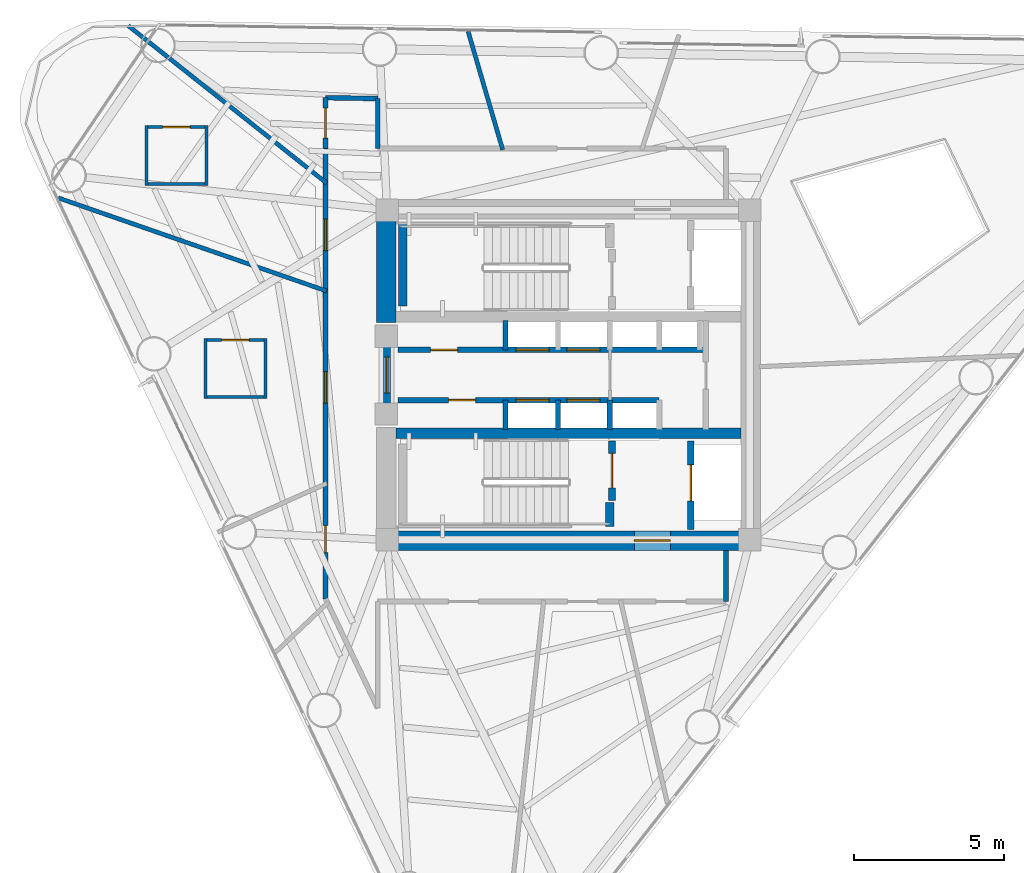
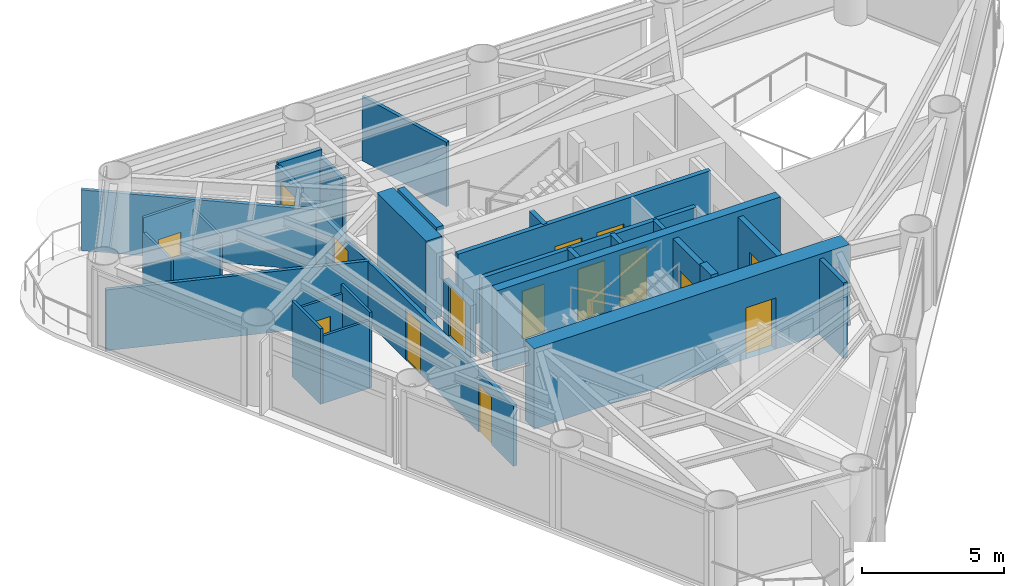
# One storey, part 5 of 9: 30 walls, 16 doors, 16 openings.
"""IFC4 building model written with IfcOpenShell, lengths in metres."""

from ifc_helpers import new_model, si_unit, direction, frame, frame_2d, origin, place, context, subcontext, project, spatial, rectangle, extrude, material, layer, layer_set, type_object, element, fill, save


model = new_model("IFC4")

# Units and contexts
model_context = context("Model", 3, precision=1e-05, world=origin(), true_north=direction((0.0, 1.0)))
body_context = subcontext(model_context, "Body", "Model", "MODEL_VIEW")
ifc_project = project(units=[si_unit("LENGTHUNIT", "METRE"), si_unit("AREAUNIT", "SQUARE_METRE"), si_unit("VOLUMEUNIT", "CUBIC_METRE"), si_unit("PLANEANGLEUNIT", "RADIAN"), si_unit("MASSUNIT", "GRAM", prefix="KILO")], contexts=[model_context])

# Site, building, storey
site_placement = place(None, origin())
site = spatial("IfcSite", under=ifc_project, at=site_placement, CompositionType="ELEMENT")
building_placement = place(site_placement, origin())
building = spatial("IfcBuilding", under=site, at=building_placement, Name="Yunling Apex Tower", CompositionType="ELEMENT")
storey_placement = place(building_placement, frame((0.0, 0.0, 201.800048828125)))
storey = spatial("IfcBuildingStorey", under=building, at=storey_placement, Name="L49", CompositionType="ELEMENT", Elevation=201.800048828125)

# Wall, opening, door
ifc_material_1 = material(Name="Concrete C50", Category="concrete")
ifc_layer_1 = layer(ifc_material_1, 0.64990234375)
ifc_layer_set_1 = layer_set([ifc_layer_1], Name="Concrete C50")
wall_type_1 = type_object("IfcWallType", Name="WL-COR-2", PredefinedType="SHEAR", material=ifc_layer_set_1)
wall_1_placement = place(storey_placement, frame((-6.39990234375, -5.52490234375, 0.0), z_axis=(0.0, 0.0, 1.0), x_axis=(1.0, 0.0, 0.0)))
wall_1 = element("IfcWall", 1, at=wall_1_placement, inside=storey, type_object=wall_type_1, Name="L49 South Core Shear Wall", PredefinedType="SHEAR", context=body_context, shape_type="SweptSolid", body=[
    extrude(rectangle(XDim=12.7998046875, YDim=0.64990234375, at=frame_2d((6.39990234375, 0.0))), origin(), (0.0, 0.0, 1.0), 3.449951171875),
])
opening_1_placement = place(wall_1_placement, frame((8.60009765625, 0.0, 0.0)))
opening_1 = element("IfcOpeningElement", 2, at=opening_1_placement, cuts=wall_1, Name="Opening DR-FFL-1", PredefinedType="OPENING", context=body_context, shape_type="SweptSolid", body=[
    extrude(rectangle(XDim=1.199951171875, YDim=2.199951171875, at=frame_2d((0.60009765625, 1.10009765625))), frame((0.0, 0.3349609375, 0.0), z_axis=(0.0, -1.0, 0.0), x_axis=(1.0, 0.0, 0.0)), (0.0, 0.0, 1.0), 0.669921875),
])
ifc_material_2 = material(Name="Steel Q355B", Category="steel")
door_type_1 = type_object("IfcDoorType", Name="DR-FFL-1", OperationType="NOTDEFINED", PredefinedType="DOOR", material=ifc_material_2)
door_1_placement = place(opening_1_placement, origin())
door_1 = element("IfcDoor", 3, at=door_1_placement, inside=storey, type_object=door_type_1, Name="L49 South Firefighting Lobby Door", OperationType="SINGLE_SWING_RIGHT", OverallHeight=2.199951171875, OverallWidth=1.199951171875, PredefinedType="DOOR", context=body_context, shape_type="SweptSolid", body=[
    extrude(rectangle(XDim=1.199951171875, YDim=2.199951171875, at=frame_2d((0.60009765625, 1.10009765625))), frame((0.0, 0.02490234375, 0.0), z_axis=(0.0, -1.0, 0.0), x_axis=(1.0, 0.0, 0.0)), (0.0, 0.0, 1.0), 0.050048828125),
])
fill(opening_1, door_1)

# Walls
wall_2_placement = place(storey_placement, frame((-6.074951171875, 1.75, 0.0), z_axis=(0.0, 0.0, 1.0), x_axis=(0.0, 1.0, 0.0)))
element("IfcWall", 4, at=wall_2_placement, inside=storey, type_object=wall_type_1, Name="L49 West-North Core Shear Wall", PredefinedType="SHEAR", context=body_context, shape_type="SweptSolid", body=[
    extrude(rectangle(XDim=3.449951171875, YDim=0.64990234375, at=frame_2d((1.72509765625, 0.0))), origin(), (0.0, 0.0, 1.0), 3.449951171875),
])
ifc_material_3 = material(Name="Concrete C40", Category="concrete")
ifc_layer_2 = layer(ifc_material_3, 0.360107421875)
ifc_layer_set_2 = layer_set([ifc_layer_2], Name="Concrete C40")
wall_type_2 = type_object("IfcWallType", Name="WL-COR-4", PredefinedType="SHEAR", material=ifc_layer_set_2)
wall_3_placement = place(storey_placement, frame((-5.75, -1.93994140625, 0.0), z_axis=(0.0, 0.0, 1.0), x_axis=(1.0, 0.0, 0.0)))
element("IfcWall", 5, at=wall_3_placement, inside=storey, type_object=wall_type_2, Name="L49 South Internal Core Shear Wall", PredefinedType="SHEAR", context=body_context, shape_type="SweptSolid", body=[
    extrude(rectangle(XDim=11.5, YDim=0.360107421875, at=frame_2d((5.75, 0.0))), origin(), (0.0, 0.0, 1.0), 3.449951171875),
])
ifc_layer_3 = layer(ifc_material_3, 0.280029296875)
ifc_layer_set_3 = layer_set([ifc_layer_3], Name="Concrete C40")
wall_type_3 = type_object("IfcWallType", Name="WL-COR-8", PredefinedType="SHEAR", material=ifc_layer_set_3)
wall_4_placement = place(storey_placement, frame((-5.52001953125, 2.300048828125, 0.0), z_axis=(0.0, 0.0, 1.0), x_axis=(0.0, 1.0, 0.0)))
element("IfcWall", 6, at=wall_4_placement, inside=storey, type_object=wall_type_3, Name="L49 ST-1 West Landing Bearing Wall", PredefinedType="SHEAR", context=body_context, shape_type="SweptSolid", body=[
    extrude(rectangle(XDim=2.75, YDim=0.280029296875, at=frame_2d((1.375, 0.0))), origin(), (0.0, 0.0, 1.0), 3.449951171875),
])
wall_5_placement = place(storey_placement, frame((1.3798828125, -5.050048828125, 0.0), z_axis=(0.0, 0.0, 1.0), x_axis=(0.0, 1.0, 0.0)))
element("IfcWall", 7, at=wall_5_placement, inside=storey, type_object=wall_type_3, Name="L49 ST-2 East Landing Bearing Pier", PredefinedType="SHEAR", context=body_context, shape_type="SweptSolid", body=[
    extrude(rectangle(XDim=0.800048828125, YDim=0.280029296875, at=frame_2d((0.39990234375, 0.0))), origin(), (0.0, 0.0, 1.0), 3.449951171875),
])

# Wall, openings, doors
ifc_material_4 = material(Name="Gypsum board acoustic partition")
ifc_layer_4 = layer(ifc_material_4, 0.159912109375)
ifc_layer_set_4 = layer_set([ifc_layer_4], Name="Gypsum board acoustic partition")
wall_type_4 = type_object("IfcWallType", Name="WL-PRT-1", PredefinedType="PARTITIONING", material=ifc_layer_set_4)
wall_6_placement = place(storey_placement, frame((-8.10009765625, -7.460205078125, 0.0), z_axis=(0.0, 0.0, 1.0), x_axis=(0.0, 1.0, 0.0)))
wall_6 = element("IfcWall", 8, at=wall_6_placement, inside=storey, type_object=wall_type_4, Name="WL-CORR-L49-02", PredefinedType="PARTITIONING", context=body_context, shape_type="SweptSolid", body=[
    extrude(rectangle(XDim=15.01025390625, YDim=0.159912109375, at=frame_2d((7.505126953125, 0.0))), origin(), (0.0, 0.0, 1.0), 2.60498046875),
])
opening_2_placement = place(wall_6_placement, frame((1.537109375, 0.0, 0.0)))
opening_2 = element("IfcOpeningElement", 9, at=opening_2_placement, cuts=wall_6, Name="Opening DR-SHF-1", PredefinedType="OPENING", context=body_context, shape_type="SweptSolid", body=[
    extrude(rectangle(XDim=0.89990234375, YDim=2.050048828125, at=frame_2d((0.449951171875, 1.02490234375))), frame((0.0, 0.08984375, 0.0), z_axis=(0.0, -1.0, 0.0), x_axis=(1.0, 0.0, 0.0)), (0.0, 0.0, 1.0), 0.179931640625),
])
opening_3_placement = place(wall_6_placement, frame((6.522216796875, 0.0, 0.0)))
opening_3 = element("IfcOpeningElement", 10, at=opening_3_placement, cuts=wall_6, Name="Opening DR-FL-1", PredefinedType="OPENING", context=body_context, shape_type="SweptSolid", body=[
    extrude(rectangle(XDim=1.050048828125, YDim=2.199951171875, at=frame_2d((0.52490234375, 1.10009765625))), frame((0.0, 0.08984375, 0.0), z_axis=(0.0, -1.0, 0.0), x_axis=(1.0, 0.0, 0.0)), (0.0, 0.0, 1.0), 0.179931640625),
])
opening_4_placement = place(wall_6_placement, frame((11.604248046875, 0.0, 0.0)))
opening_4 = element("IfcOpeningElement", 11, at=opening_4_placement, cuts=wall_6, Name="Opening DR-FL-1", PredefinedType="OPENING", context=body_context, shape_type="SweptSolid", body=[
    extrude(rectangle(XDim=1.050048828125, YDim=2.199951171875, at=frame_2d((0.52490234375, 1.10009765625))), frame((0.0, 0.08984375, 0.0), z_axis=(0.0, -1.0, 0.0), x_axis=(1.0, 0.0, 0.0)), (0.0, 0.0, 1.0), 0.179931640625),
])
ifc_material_5 = material(Name="Timber fire-rated leaf", Category="wood")
door_type_2 = type_object("IfcDoorType", Name="DR-FL-1", OperationType="NOTDEFINED", PredefinedType="DOOR", material=ifc_material_5)
door_2_placement = place(opening_3_placement, origin())
door_2 = element("IfcDoor", 12, at=door_2_placement, inside=storey, type_object=door_type_2, Name="L49 Hotel Suite Door", OperationType="SINGLE_SWING_RIGHT", OverallHeight=2.199951171875, OverallWidth=1.050048828125, PredefinedType="DOOR", context=body_context, shape_type="SweptSolid", body=[
    extrude(rectangle(XDim=1.050048828125, YDim=2.199951171875, at=frame_2d((0.52490234375, 1.10009765625))), frame((0.0, 0.02490234375, 0.0), z_axis=(0.0, -1.0, 0.0), x_axis=(1.0, 0.0, 0.0)), (0.0, 0.0, 1.0), 0.050048828125),
])
fill(opening_3, door_2)
door_3_placement = place(opening_4_placement, origin())
door_3 = element("IfcDoor", 13, at=door_3_placement, inside=storey, type_object=door_type_2, Name="L49 Hotel Suite Door", OperationType="SINGLE_SWING_LEFT", OverallHeight=2.199951171875, OverallWidth=1.050048828125, PredefinedType="DOOR", context=body_context, shape_type="SweptSolid", body=[
    extrude(rectangle(XDim=1.050048828125, YDim=2.199951171875, at=frame_2d((0.52490234375, 1.10009765625))), frame((0.0, 0.02490234375, 0.0), z_axis=(0.0, -1.0, 0.0), x_axis=(1.0, 0.0, 0.0)), (0.0, 0.0, 1.0), 0.050048828125),
])
fill(opening_4, door_3)
door_type_3 = type_object("IfcDoorType", Name="DR-SHF-1", OperationType="NOTDEFINED", PredefinedType="DOOR", material=ifc_material_2)
door_4_placement = place(opening_2_placement, origin())
door_4 = element("IfcDoor", 14, at=door_4_placement, inside=storey, type_object=door_type_3, Name="L49 Housekeeping Room Door", OperationType="SINGLE_SWING_LEFT", OverallHeight=2.050048828125, OverallWidth=0.89990234375, PredefinedType="DOOR", context=body_context, shape_type="SweptSolid", body=[
    extrude(rectangle(XDim=0.89990234375, YDim=2.050048828125, at=frame_2d((0.449951171875, 1.02490234375))), frame((0.0, 0.02490234375, 0.0), z_axis=(0.0, -1.0, 0.0), x_axis=(1.0, 0.0, 0.0)), (0.0, 0.0, 1.0), 0.050048828125),
])
fill(opening_2, door_4)

# Wall, opening, door
wall_7_placement = place(storey_placement, frame((-8.10009765625, 7.550048828125, 0.0), z_axis=(0.0, 0.0, 1.0), x_axis=(0.0, 1.0, 0.0)))
wall_7 = element("IfcWall", 15, at=wall_7_placement, inside=storey, type_object=wall_type_4, Name="WL-CORR-L49-03", PredefinedType="PARTITIONING", context=body_context, shape_type="SweptSolid", body=[
    extrude(rectangle(XDim=1.695556640625, YDim=0.159912109375, at=frame_2d((0.84765625, 0.0))), origin(), (0.0, 0.0, 1.0), 2.804931640625),
])
opening_5_placement = place(wall_7_placement, frame((0.347900390625, 0.0, 0.0)))
opening_5 = element("IfcOpeningElement", 16, at=opening_5_placement, cuts=wall_7, Name="Opening DR-OFF-1", PredefinedType="OPENING", context=body_context, shape_type="SweptSolid", body=[
    extrude(rectangle(XDim=1.0, YDim=2.25, at=frame_2d((0.5, 1.125))), frame((0.0, 0.08984375, 0.0), z_axis=(0.0, -1.0, 0.0), x_axis=(1.0, 0.0, 0.0)), (0.0, 0.0, 1.0), 0.179931640625),
])
ifc_material_6 = material(Name="Bronze anodised aluminium", Category="aluminium")
door_type_4 = type_object("IfcDoorType", Name="DR-OFF-1", OperationType="NOTDEFINED", PredefinedType="DOOR", material=ifc_material_6)
door_5_placement = place(opening_5_placement, origin())
door_5 = element("IfcDoor", 17, at=door_5_placement, inside=storey, type_object=door_type_4, Name="L49 Club Lounge Door", OperationType="SINGLE_SWING_RIGHT", OverallHeight=2.25, OverallWidth=1.0, PredefinedType="DOOR", context=body_context, shape_type="SweptSolid", body=[
    extrude(rectangle(XDim=1.0, YDim=2.25, at=frame_2d((0.5, 1.125))), frame((0.0, 0.02490234375, 0.0), z_axis=(0.0, -1.0, 0.0), x_axis=(1.0, 0.0, 0.0)), (0.0, 0.0, 1.0), 0.050048828125),
])
fill(opening_5, door_5)

# Walls
wall_8_placement = place(storey_placement, frame((-8.10009765625, 9.24560546875, 0.0), z_axis=(0.0, 0.0, 1.0), x_axis=(0.999858281466, -0.016834992813, 0.0)))
element("IfcWall", 18, at=wall_8_placement, inside=storey, type_object=wall_type_4, Name="WL-CORR-L49-04", PredefinedType="PARTITIONING", context=body_context, shape_type="SweptSolid", body=[
    extrude(rectangle(XDim=1.740234375, YDim=0.159912109375, at=frame_2d((0.8701171875, 0.0))), origin(), (0.0, 0.0, 1.0), 2.905029296875),
])
wall_9_placement = place(storey_placement, frame((-6.360107421875, 9.21630859375, 0.0), z_axis=(0.0, 0.0, 1.0), x_axis=(0.0, -1.0, 0.0)))
element("IfcWall", 19, at=wall_9_placement, inside=storey, type_object=wall_type_4, Name="WL-CORR-L49-05", PredefinedType="PARTITIONING", context=body_context, shape_type="SweptSolid", body=[
    extrude(rectangle(XDim=1.666259765625, YDim=0.159912109375, at=frame_2d((0.8330078125, 0.0))), origin(), (0.0, 0.0, 1.0), 2.60498046875),
])
wall_10_placement = place(storey_placement, frame((5.25, -5.85009765625, 0.0), z_axis=(0.0, 0.0, 1.0), x_axis=(0.0, -1.0, 0.0)))
element("IfcWall", 20, at=wall_10_placement, inside=storey, type_object=wall_type_4, Name="WL-CORR-L49-08", PredefinedType="PARTITIONING", context=body_context, shape_type="SweptSolid", body=[
    extrude(rectangle(XDim=1.699951171875, YDim=0.159912109375, at=frame_2d((0.85009765625, 0.0))), origin(), (0.0, 0.0, 1.0), 3.25),
])
ifc_layer_5 = layer(ifc_material_4, 0.139892578125)
ifc_layer_set_5 = layer_set([ifc_layer_5], Name="Gypsum board acoustic partition")
wall_type_5 = type_object("IfcWallType", Name="WL-PRT-2", PredefinedType="PARTITIONING", material=ifc_layer_set_5)
wall_11_placement = place(storey_placement, frame((-2.194091796875, 7.510009765625, 0.0), z_axis=(0.0, 0.0, 1.0), x_axis=(-0.280410435425, 0.959880194454, 0.0)))
element("IfcWall", 21, at=wall_11_placement, inside=storey, type_object=wall_type_5, Name="WL-RAD-L49-03", PredefinedType="PARTITIONING", context=body_context, shape_type="SweptSolid", body=[
    extrude(rectangle(XDim=4.111328125, YDim=0.139892578125, at=frame_2d((2.0556640625, 0.0))), origin(), (0.0, 0.0, 1.0), 2.764892578125),
])
wall_12_placement = place(storey_placement, frame((-8.06005859375, 6.394775390625, 0.0), z_axis=(0.0, 0.0, 1.0), x_axis=(-0.783385602556, 0.621535998723, 0.0)))
element("IfcWall", 22, at=wall_12_placement, inside=storey, type_object=wall_type_5, Name="WL-RAD-L49-04", PredefinedType="PARTITIONING", context=body_context, shape_type="SweptSolid", body=[
    extrude(rectangle(XDim=8.44873046875, YDim=0.139892578125, at=frame_2d((4.224365234375, 0.0))), origin(), (0.0, 0.0, 1.0), 2.60498046875),
])
wall_13_placement = place(storey_placement, frame((-8.06005859375, 2.7978515625, 0.0), z_axis=(0.0, 0.0, 1.0), x_axis=(-0.944705149401, 0.327920997643, 0.0)))
element("IfcWall", 23, at=wall_13_placement, inside=storey, type_object=wall_type_5, Name="WL-RAD-L49-05", PredefinedType="PARTITIONING", context=body_context, shape_type="SweptSolid", body=[
    extrude(rectangle(XDim=9.47607421875, YDim=0.139892578125, at=frame_2d((4.738037109375, 0.0))), origin(), (0.0, 0.0, 1.0), 2.60498046875),
])

# Wall, opening, door
ifc_layer_6 = layer(ifc_material_4, 0.10009765625)
ifc_layer_set_6 = layer_set([ifc_layer_6], Name="Gypsum board acoustic partition")
wall_type_6 = type_object("IfcWallType", Name="WL-PRT-4", PredefinedType="PARTITIONING", material=ifc_layer_set_6)
wall_14_placement = place(storey_placement, frame((-14.1240234375, 8.262939453125, 0.0), z_axis=(0.0, 0.0, 1.0), x_axis=(1.0, 0.0, 0.0)))
wall_14 = element("IfcWall", 24, at=wall_14_placement, inside=storey, type_object=wall_type_6, Name="WL-ENS-L49-8N", PredefinedType="PARTITIONING", context=body_context, shape_type="SweptSolid", body=[
    extrude(rectangle(XDim=2.10009765625, YDim=0.10009765625, at=frame_2d((1.050048828125, 0.0))), origin(), (0.0, 0.0, 1.0), 3.25),
])
opening_6_placement = place(wall_14_placement, frame((0.590087890625, 0.0, 0.0)))
opening_6 = element("IfcOpeningElement", 25, at=opening_6_placement, cuts=wall_14, Name="Opening DR-WC-1", PredefinedType="OPENING", context=body_context, shape_type="SweptSolid", body=[
    extrude(rectangle(XDim=0.919921875, YDim=2.10009765625, at=frame_2d((0.4599609375, 1.050048828125))), frame((0.0, 0.06005859375, 0.0), z_axis=(0.0, -1.0, 0.0), x_axis=(1.0, 0.0, 0.0)), (0.0, 0.0, 1.0), 0.1201171875),
])
ifc_material_7 = material(Name="Timber moisture-resistant leaf", Category="wood")
door_type_5 = type_object("IfcDoorType", Name="DR-WC-1", OperationType="NOTDEFINED", PredefinedType="DOOR", material=ifc_material_7)
door_6_placement = place(opening_6_placement, origin())
door_6 = element("IfcDoor", 26, at=door_6_placement, inside=storey, type_object=door_type_5, Name="L49 En-Suite Door", OperationType="SINGLE_SWING_LEFT", OverallHeight=2.10009765625, OverallWidth=0.919921875, PredefinedType="DOOR", context=body_context, shape_type="SweptSolid", body=[
    extrude(rectangle(XDim=0.919921875, YDim=2.10009765625, at=frame_2d((0.4599609375, 1.050048828125))), frame((0.0, 0.02490234375, 0.0), z_axis=(0.0, -1.0, 0.0), x_axis=(1.0, 0.0, 0.0)), (0.0, 0.0, 1.0), 0.050048828125),
])
fill(opening_6, door_6)

# Walls
wall_15_placement = place(storey_placement, frame((-12.02392578125, 6.363037109375, 0.0), z_axis=(0.0, 0.0, 1.0), x_axis=(-1.0, 0.0, 0.0)))
element("IfcWall", 27, at=wall_15_placement, inside=storey, type_object=wall_type_6, Name="WL-ENS-L49-8S", PredefinedType="PARTITIONING", context=body_context, shape_type="SweptSolid", body=[
    extrude(rectangle(XDim=2.10009765625, YDim=0.10009765625, at=frame_2d((1.050048828125, 0.0))), origin(), (0.0, 0.0, 1.0), 2.60498046875),
])
wall_16_placement = place(storey_placement, frame((-12.073974609375, 8.31298828125, 0.0), z_axis=(0.0, 0.0, 1.0), x_axis=(0.0, -1.0, 0.0)))
element("IfcWall", 28, at=wall_16_placement, inside=storey, type_object=wall_type_6, Name="WL-ENS-L49-8E", PredefinedType="PARTITIONING", context=body_context, shape_type="SweptSolid", body=[
    extrude(rectangle(XDim=2.0, YDim=0.10009765625, at=frame_2d((1.0, 0.0))), origin(), (0.0, 0.0, 1.0), 2.905029296875),
])
wall_17_placement = place(storey_placement, frame((-14.073974609375, 6.31298828125, 0.0), z_axis=(0.0, 0.0, 1.0), x_axis=(0.0, 1.0, 0.0)))
element("IfcWall", 29, at=wall_17_placement, inside=storey, type_object=wall_type_6, Name="WL-ENS-L49-8W", PredefinedType="PARTITIONING", context=body_context, shape_type="SweptSolid", body=[
    extrude(rectangle(XDim=2.0, YDim=0.10009765625, at=frame_2d((1.0, 0.0))), origin(), (0.0, 0.0, 1.0), 2.60498046875),
])

# Wall, opening, door
wall_18_placement = place(storey_placement, frame((-12.155029296875, 1.1669921875, 0.0), z_axis=(0.0, 0.0, 1.0), x_axis=(1.0, 0.0, 0.0)))
wall_18 = element("IfcWall", 30, at=wall_18_placement, inside=storey, type_object=wall_type_6, Name="WL-ENS-L49-9N", PredefinedType="PARTITIONING", context=body_context, shape_type="SweptSolid", body=[
    extrude(rectangle(XDim=2.10009765625, YDim=0.10009765625, at=frame_2d((1.050048828125, 0.0))), origin(), (0.0, 0.0, 1.0), 2.905029296875),
])
opening_7_placement = place(wall_18_placement, frame((0.590087890625, 0.0, 0.0)))
opening_7 = element("IfcOpeningElement", 31, at=opening_7_placement, cuts=wall_18, Name="Opening DR-WC-1", PredefinedType="OPENING", context=body_context, shape_type="SweptSolid", body=[
    extrude(rectangle(XDim=0.919921875, YDim=2.10009765625, at=frame_2d((0.4599609375, 1.050048828125))), frame((0.0, 0.06005859375, 0.0), z_axis=(0.0, -1.0, 0.0), x_axis=(1.0, 0.0, 0.0)), (0.0, 0.0, 1.0), 0.1201171875),
])
door_7_placement = place(opening_7_placement, origin())
door_7 = element("IfcDoor", 32, at=door_7_placement, inside=storey, type_object=door_type_5, Name="L49 En-Suite Door", OperationType="SINGLE_SWING_RIGHT", OverallHeight=2.10009765625, OverallWidth=0.919921875, PredefinedType="DOOR", context=body_context, shape_type="SweptSolid", body=[
    extrude(rectangle(XDim=0.919921875, YDim=2.10009765625, at=frame_2d((0.4599609375, 1.050048828125))), frame((0.0, 0.02490234375, 0.0), z_axis=(0.0, -1.0, 0.0), x_axis=(1.0, 0.0, 0.0)), (0.0, 0.0, 1.0), 0.050048828125),
])
fill(opening_7, door_7)

# Walls
wall_19_placement = place(storey_placement, frame((-10.054931640625, -0.73291015625, 0.0), z_axis=(0.0, 0.0, 1.0), x_axis=(-1.0, 0.0, 0.0)))
element("IfcWall", 33, at=wall_19_placement, inside=storey, type_object=wall_type_6, Name="WL-ENS-L49-9S", PredefinedType="PARTITIONING", context=body_context, shape_type="SweptSolid", body=[
    extrude(rectangle(XDim=2.10009765625, YDim=0.10009765625, at=frame_2d((1.050048828125, 0.0))), origin(), (0.0, 0.0, 1.0), 2.905029296875),
])
for number, where, z_axis, x_axis, name in (
    (34, (-10.10498046875, 1.217041015625, 0.0), (0.0, 0.0, 1.0), (0.0, -1.0, 0.0), "WL-ENS-L49-9E"),
    (35, (-12.10498046875, -0.782958984375, 0.0), (0.0, 0.0, 1.0), (0.0, 1.0, 0.0), "WL-ENS-L49-9W"),
):
    element("IfcWall", number, at=place(storey_placement, frame(where, z_axis=z_axis, x_axis=x_axis)), inside=storey, type_object=wall_type_6, Name=name, PredefinedType="PARTITIONING", context=body_context, shape_type="SweptSolid", body=[
        extrude(rectangle(XDim=2.0, YDim=0.10009765625, at=frame_2d((1.0, 0.0))), origin(), (0.0, 0.0, 1.0), 3.25),
    ])

# Wall, opening, door
ifc_material_8 = material(Name="Autoclaved aerated concrete masonry", Category="masonry")
ifc_layer_7 = layer(ifc_material_8, 0.219970703125)
ifc_layer_set_7 = layer_set([ifc_layer_7], Name="Autoclaved aerated concrete masonry")
wall_type_7 = type_object("IfcWallType", Name="WL-SHF-1", PredefinedType="PLUMBINGWALL", material=ifc_layer_set_7)
wall_20_placement = place(storey_placement, frame((-6.050048828125, -0.949951171875, 0.0), z_axis=(0.0, 0.0, 1.0), x_axis=(0.0, 1.0, 0.0)))
wall_20 = element("IfcWall", 36, at=wall_20_placement, inside=storey, type_object=wall_type_7, Name="WL-COR-WPORT-L49", PredefinedType="PLUMBINGWALL", context=body_context, shape_type="SweptSolid", body=[
    extrude(rectangle(XDim=1.89990234375, YDim=0.219970703125, at=frame_2d((0.949951171875, 0.0))), origin(), (0.0, 0.0, 1.0), 2.22998046875),
])
opening_8_placement = place(wall_20_placement, frame((0.35009765625, 0.0, 0.0)))
opening_8 = element("IfcOpeningElement", 37, at=opening_8_placement, cuts=wall_20, Name="Opening DR-FFL-1", PredefinedType="OPENING", context=body_context, shape_type="SweptSolid", body=[
    extrude(rectangle(XDim=1.199951171875, YDim=2.199951171875, at=frame_2d((0.60009765625, 1.10009765625))), frame((0.0, 0.1201171875, 0.0), z_axis=(0.0, -1.0, 0.0), x_axis=(1.0, 0.0, 0.0)), (0.0, 0.0, 1.0), 0.239990234375),
])
door_8_placement = place(opening_8_placement, origin())
door_8 = element("IfcDoor", 38, at=door_8_placement, inside=storey, type_object=door_type_1, Name="L49 Passenger Lift Lobby Entrance Door", OperationType="SINGLE_SWING_RIGHT", OverallHeight=2.199951171875, OverallWidth=1.199951171875, PredefinedType="DOOR", context=body_context, shape_type="SweptSolid", body=[
    extrude(rectangle(XDim=1.199951171875, YDim=2.199951171875, at=frame_2d((0.60009765625, 1.10009765625))), frame((0.0, 0.02490234375, 0.0), z_axis=(0.0, -1.0, 0.0), x_axis=(1.0, 0.0, 0.0)), (0.0, 0.0, 1.0), 0.050048828125),
])
fill(opening_8, door_8)

wall_21_placement = place(storey_placement, frame((1.449951171875, -4.179931640625, 0.0), z_axis=(0.0, 0.0, 1.0), x_axis=(0.0, 1.0, 0.0)))
wall_21 = element("IfcWall", 39, at=wall_21_placement, inside=storey, type_object=wall_type_7, Name="WL-ST2-E-L49", PredefinedType="PLUMBINGWALL", context=body_context, shape_type="SweptSolid", body=[
    extrude(rectangle(XDim=1.97998046875, YDim=0.219970703125, at=frame_2d((0.989990234375, 0.0))), origin(), (0.0, 0.0, 1.0), 3.25),
])
opening_9_placement = place(wall_21_placement, frame((0.419921875, 0.0, 0.0)))
opening_9 = element("IfcOpeningElement", 40, at=opening_9_placement, cuts=wall_21, Name="Opening DR-ST-1", PredefinedType="OPENING", context=body_context, shape_type="SweptSolid", body=[
    extrude(rectangle(XDim=1.14990234375, YDim=2.14990234375, at=frame_2d((0.574951171875, 1.074951171875))), frame((0.0, 0.1201171875, 0.0), z_axis=(0.0, -1.0, 0.0), x_axis=(1.0, 0.0, 0.0)), (0.0, 0.0, 1.0), 0.239990234375),
])
door_type_6 = type_object("IfcDoorType", Name="DR-ST-1", OperationType="NOTDEFINED", PredefinedType="DOOR", material=ifc_material_2)
door_9_placement = place(opening_9_placement, origin())
door_9 = element("IfcDoor", 41, at=door_9_placement, inside=storey, type_object=door_type_6, Name="L49 Stair ST-2 Fire Door", OperationType="SINGLE_SWING_RIGHT", OverallHeight=2.14990234375, OverallWidth=1.14990234375, PredefinedType="DOOR", context=body_context, shape_type="SweptSolid", body=[
    extrude(rectangle(XDim=1.14990234375, YDim=2.14990234375, at=frame_2d((0.574951171875, 1.074951171875))), frame((0.0, 0.02490234375, 0.0), z_axis=(0.0, -1.0, 0.0), x_axis=(1.0, 0.0, 0.0)), (0.0, 0.0, 1.0), 0.050048828125),
])
fill(opening_9, door_9)

wall_22_placement = place(storey_placement, frame((4.080078125, -5.14990234375, 0.0), z_axis=(0.0, 0.0, 1.0), x_axis=(0.0, 1.0, 0.0)))
wall_22 = element("IfcWall", 42, at=wall_22_placement, inside=storey, type_object=wall_type_7, Name="WL-FFL2-W-L49", PredefinedType="PLUMBINGWALL", context=body_context, shape_type="SweptSolid", body=[
    extrude(rectangle(XDim=2.949951171875, YDim=0.219970703125, at=frame_2d((1.47509765625, 0.0))), origin(), (0.0, 0.0, 1.0), 3.25),
])
opening_10_placement = place(wall_22_placement, frame((0.949951171875, 0.0, 0.0)))
opening_10 = element("IfcOpeningElement", 43, at=opening_10_placement, cuts=wall_22, Name="Opening LD-FFL-1", PredefinedType="OPENING", context=body_context, shape_type="SweptSolid", body=[
    extrude(rectangle(XDim=1.199951171875, YDim=2.25, at=frame_2d((0.60009765625, 1.125))), frame((0.0, 0.1201171875, 0.0), z_axis=(0.0, -1.0, 0.0), x_axis=(1.0, 0.0, 0.0)), (0.0, 0.0, 1.0), 0.239990234375),
])
door_type_7 = type_object("IfcDoorType", Name="LD-FFL-1", OperationType="DOUBLE_DOOR_SLIDING", PredefinedType="DOOR", material=ifc_material_2)
door_10_placement = place(opening_10_placement, origin())
door_10 = element("IfcDoor", 44, at=door_10_placement, inside=storey, type_object=door_type_7, Name="L49 Lift FFL-2 Landing Door", OperationType="DOUBLE_DOOR_SLIDING", OverallHeight=2.25, OverallWidth=1.199951171875, PredefinedType="DOOR", context=body_context, shape_type="SweptSolid", body=[
    extrude(rectangle(XDim=1.199951171875, YDim=2.25, at=frame_2d((0.60009765625, 1.125))), frame((0.0, 0.02490234375, 0.0), z_axis=(0.0, -1.0, 0.0), x_axis=(1.0, 0.0, 0.0)), (0.0, 0.0, 1.0), 0.050048828125),
])
fill(opening_10, door_10)

# Walls
ifc_layer_8 = layer(ifc_material_8, 0.179931640625)
ifc_layer_set_8 = layer_set([ifc_layer_8], Name="Autoclaved aerated concrete masonry")
wall_type_8 = type_object("IfcWallType", Name="WL-SHF-2", PredefinedType="PLUMBINGWALL", material=ifc_layer_set_8)
for number, where, z_axis, x_axis, name in (
    (45, (-2.10009765625, 0.840087890625, 0.0), (0.0, 0.0, 1.0), (0.0, 1.0, 0.0), "WL-BNK-LM-N-L49"),
    (46, (-2.10009765625, -1.820068359375, 0.0), (0.0, 0.0, 1.0), (0.0, 1.0, 0.0), "WL-BNK-LM-S-L49"),
    (47, (-0.35009765625, -1.820068359375, 0.0), (0.0, 0.0, 1.0), (0.0, 1.0, 0.0), "WL-DIV-M34-L49"),
    (48, (1.3798828125, -1.820068359375, 0.0), (0.0, 0.0, 1.0), (0.0, 1.0, 0.0), "WL-BNK-MH-S-L49"),
):
    element("IfcWall", number, at=place(storey_placement, frame(where, z_axis=z_axis, x_axis=x_axis)), inside=storey, type_object=wall_type_8, Name=name, PredefinedType="PLUMBINGWALL", context=body_context, shape_type="SweptSolid", body=[
        extrude(rectangle(XDim=0.97998046875, YDim=0.179931640625, at=frame_2d((0.489990234375, 0.0))), origin(), (0.0, 0.0, 1.0), 3.25),
    ])

# Wall, openings, doors
wall_23_placement = place(storey_placement, frame((-5.679931640625, 0.840087890625, 0.0), z_axis=(0.0, 0.0, 1.0), x_axis=(1.0, 0.0, 0.0)))
wall_23 = element("IfcWall", 49, at=wall_23_placement, inside=storey, type_object=wall_type_8, Name="WL-LOB-N-L49", PredefinedType="PLUMBINGWALL", context=body_context, shape_type="SweptSolid", body=[
    extrude(rectangle(XDim=10.260009765625, YDim=0.179931640625, at=frame_2d((5.1298828125, 0.0))), origin(), (0.0, 0.0, 1.0), 3.25),
])
opening_11_placement = place(wall_23_placement, frame((1.080078125, 0.0, 0.0)))
opening_11 = element("IfcOpeningElement", 50, at=opening_11_placement, cuts=wall_23, Name="Opening DR-SHF-1", PredefinedType="OPENING", context=body_context, shape_type="SweptSolid", body=[
    extrude(rectangle(XDim=0.89990234375, YDim=2.050048828125, at=frame_2d((0.449951171875, 1.02490234375))), frame((0.0, 0.10009765625, 0.0), z_axis=(0.0, -1.0, 0.0), x_axis=(1.0, 0.0, 0.0)), (0.0, 0.0, 1.0), 0.199951171875),
])
opening_12_placement = place(wall_23_placement, frame((3.929931640625, 0.0, 0.0)))
opening_12 = element("IfcOpeningElement", 51, at=opening_12_placement, cuts=wall_23, Name="Opening LD-PAS-1", PredefinedType="OPENING", context=body_context, shape_type="SweptSolid", body=[
    extrude(rectangle(XDim=1.10009765625, YDim=2.199951171875, at=frame_2d((0.550048828125, 1.10009765625))), frame((0.0, 0.10009765625, 0.0), z_axis=(0.0, -1.0, 0.0), x_axis=(1.0, 0.0, 0.0)), (0.0, 0.0, 1.0), 0.199951171875),
])
opening_13_placement = place(wall_23_placement, frame((5.6298828125, 0.0, 0.0)))
opening_13 = element("IfcOpeningElement", 52, at=opening_13_placement, cuts=wall_23, Name="Opening LD-PAS-1", PredefinedType="OPENING", context=body_context, shape_type="SweptSolid", body=[
    extrude(rectangle(XDim=1.10009765625, YDim=2.199951171875, at=frame_2d((0.550048828125, 1.10009765625))), frame((0.0, 0.10009765625, 0.0), z_axis=(0.0, -1.0, 0.0), x_axis=(1.0, 0.0, 0.0)), (0.0, 0.0, 1.0), 0.199951171875),
])
door_11_placement = place(opening_11_placement, origin())
door_11 = element("IfcDoor", 53, at=door_11_placement, inside=storey, type_object=door_type_3, Name="L49 BMS Plant Door", OperationType="SINGLE_SWING_LEFT", OverallHeight=2.050048828125, OverallWidth=0.89990234375, PredefinedType="DOOR", context=body_context, shape_type="SweptSolid", body=[
    extrude(rectangle(XDim=0.89990234375, YDim=2.050048828125, at=frame_2d((0.449951171875, 1.02490234375))), frame((0.0, 0.02490234375, 0.0), z_axis=(0.0, -1.0, 0.0), x_axis=(1.0, 0.0, 0.0)), (0.0, 0.0, 1.0), 0.050048828125),
])
fill(opening_11, door_11)
ifc_material_9 = material(Name="Silver anodised aluminium", Category="aluminium")
door_type_8 = type_object("IfcDoorType", Name="LD-PAS-1", OperationType="DOUBLE_DOOR_SLIDING", PredefinedType="DOOR", material=ifc_material_9)
door_12_placement = place(opening_12_placement, origin())
door_12 = element("IfcDoor", 54, at=door_12_placement, inside=storey, type_object=door_type_8, Name="L49 Lift PL-M1 Landing Door", OperationType="DOUBLE_DOOR_SLIDING", OverallHeight=2.199951171875, OverallWidth=1.10009765625, PredefinedType="DOOR", context=body_context, shape_type="SweptSolid", body=[
    extrude(rectangle(XDim=1.10009765625, YDim=2.199951171875, at=frame_2d((0.550048828125, 1.10009765625))), frame((0.0, 0.02490234375, 0.0), z_axis=(0.0, -1.0, 0.0), x_axis=(1.0, 0.0, 0.0)), (0.0, 0.0, 1.0), 0.050048828125),
])
fill(opening_12, door_12)
door_13_placement = place(opening_13_placement, origin())
door_13 = element("IfcDoor", 55, at=door_13_placement, inside=storey, type_object=door_type_8, Name="L49 Lift PL-M2 Landing Door", OperationType="DOUBLE_DOOR_SLIDING", OverallHeight=2.199951171875, OverallWidth=1.10009765625, PredefinedType="DOOR", context=body_context, shape_type="SweptSolid", body=[
    extrude(rectangle(XDim=1.10009765625, YDim=2.199951171875, at=frame_2d((0.550048828125, 1.10009765625))), frame((0.0, 0.02490234375, 0.0), z_axis=(0.0, -1.0, 0.0), x_axis=(1.0, 0.0, 0.0)), (0.0, 0.0, 1.0), 0.050048828125),
])
fill(opening_13, door_13)

wall_24_placement = place(storey_placement, frame((-5.679931640625, -0.840087890625, 0.0), z_axis=(0.0, 0.0, 1.0), x_axis=(1.0, 0.0, 0.0)))
wall_24 = element("IfcWall", 56, at=wall_24_placement, inside=storey, type_object=wall_type_8, Name="WL-LOB-S-L49", PredefinedType="PLUMBINGWALL", context=body_context, shape_type="SweptSolid", body=[
    extrude(rectangle(XDim=8.699951171875, YDim=0.179931640625, at=frame_2d((4.35009765625, 0.0))), origin(), (0.0, 0.0, 1.0), 3.25),
])
opening_14_placement = place(wall_24_placement, frame((1.679931640625, 0.0, 0.0)))
opening_14 = element("IfcOpeningElement", 57, at=opening_14_placement, cuts=wall_24, Name="Opening DR-SHF-1", PredefinedType="OPENING", context=body_context, shape_type="SweptSolid", body=[
    extrude(rectangle(XDim=0.89990234375, YDim=2.050048828125, at=frame_2d((0.449951171875, 1.02490234375))), frame((0.0, 0.10009765625, 0.0), z_axis=(0.0, -1.0, 0.0), x_axis=(1.0, 0.0, 0.0)), (0.0, 0.0, 1.0), 0.199951171875),
])
opening_15_placement = place(wall_24_placement, frame((3.929931640625, 0.0, 0.0)))
opening_15 = element("IfcOpeningElement", 58, at=opening_15_placement, cuts=wall_24, Name="Opening LD-PAS-1", PredefinedType="OPENING", context=body_context, shape_type="SweptSolid", body=[
    extrude(rectangle(XDim=1.10009765625, YDim=2.199951171875, at=frame_2d((0.550048828125, 1.10009765625))), frame((0.0, 0.10009765625, 0.0), z_axis=(0.0, -1.0, 0.0), x_axis=(1.0, 0.0, 0.0)), (0.0, 0.0, 1.0), 0.199951171875),
])
opening_16_placement = place(wall_24_placement, frame((5.6298828125, 0.0, 0.0)))
opening_16 = element("IfcOpeningElement", 59, at=opening_16_placement, cuts=wall_24, Name="Opening LD-PAS-1", PredefinedType="OPENING", context=body_context, shape_type="SweptSolid", body=[
    extrude(rectangle(XDim=1.10009765625, YDim=2.199951171875, at=frame_2d((0.550048828125, 1.10009765625))), frame((0.0, 0.10009765625, 0.0), z_axis=(0.0, -1.0, 0.0), x_axis=(1.0, 0.0, 0.0)), (0.0, 0.0, 1.0), 0.199951171875),
])
door_14_placement = place(opening_14_placement, origin())
door_14 = element("IfcDoor", 60, at=door_14_placement, inside=storey, type_object=door_type_3, Name="L49 Supply Store Door", OperationType="SINGLE_SWING_RIGHT", OverallHeight=2.050048828125, OverallWidth=0.89990234375, PredefinedType="DOOR", context=body_context, shape_type="SweptSolid", body=[
    extrude(rectangle(XDim=0.89990234375, YDim=2.050048828125, at=frame_2d((0.449951171875, 1.02490234375))), frame((0.0, 0.02490234375, 0.0), z_axis=(0.0, -1.0, 0.0), x_axis=(1.0, 0.0, 0.0)), (0.0, 0.0, 1.0), 0.050048828125),
])
fill(opening_14, door_14)
door_15_placement = place(opening_15_placement, origin())
door_15 = element("IfcDoor", 61, at=door_15_placement, inside=storey, type_object=door_type_8, Name="L49 Lift PL-M3 Landing Door", OperationType="DOUBLE_DOOR_SLIDING", OverallHeight=2.199951171875, OverallWidth=1.10009765625, PredefinedType="DOOR", context=body_context, shape_type="SweptSolid", body=[
    extrude(rectangle(XDim=1.10009765625, YDim=2.199951171875, at=frame_2d((0.550048828125, 1.10009765625))), frame((0.0, 0.02490234375, 0.0), z_axis=(0.0, -1.0, 0.0), x_axis=(1.0, 0.0, 0.0)), (0.0, 0.0, 1.0), 0.050048828125),
])
fill(opening_15, door_15)
door_16_placement = place(opening_16_placement, origin())
door_16 = element("IfcDoor", 62, at=door_16_placement, inside=storey, type_object=door_type_8, Name="L49 Lift PL-M4 Landing Door", OperationType="DOUBLE_DOOR_SLIDING", OverallHeight=2.199951171875, OverallWidth=1.10009765625, PredefinedType="DOOR", context=body_context, shape_type="SweptSolid", body=[
    extrude(rectangle(XDim=1.10009765625, YDim=2.199951171875, at=frame_2d((0.550048828125, 1.10009765625))), frame((0.0, 0.02490234375, 0.0), z_axis=(0.0, -1.0, 0.0), x_axis=(1.0, 0.0, 0.0)), (0.0, 0.0, 1.0), 0.050048828125),
])
fill(opening_16, door_16)

save(model, "model.ifc")
